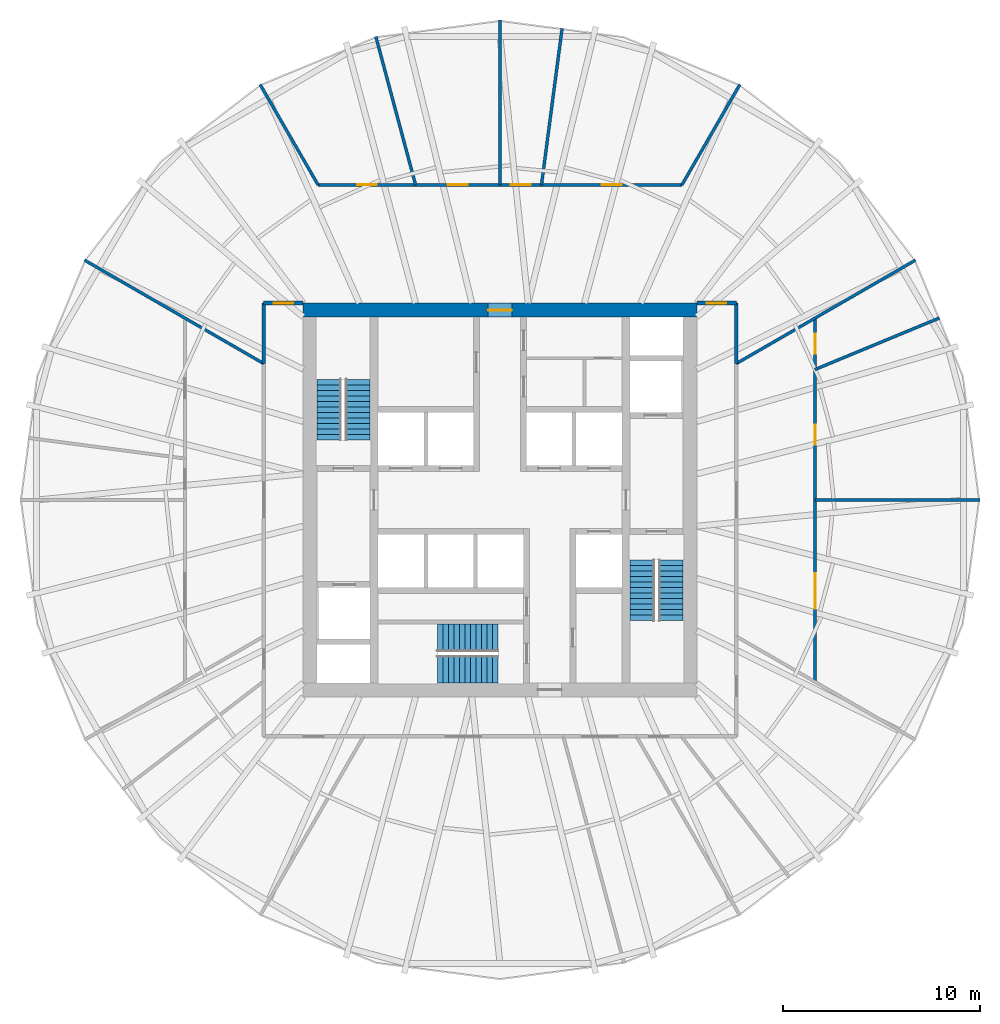
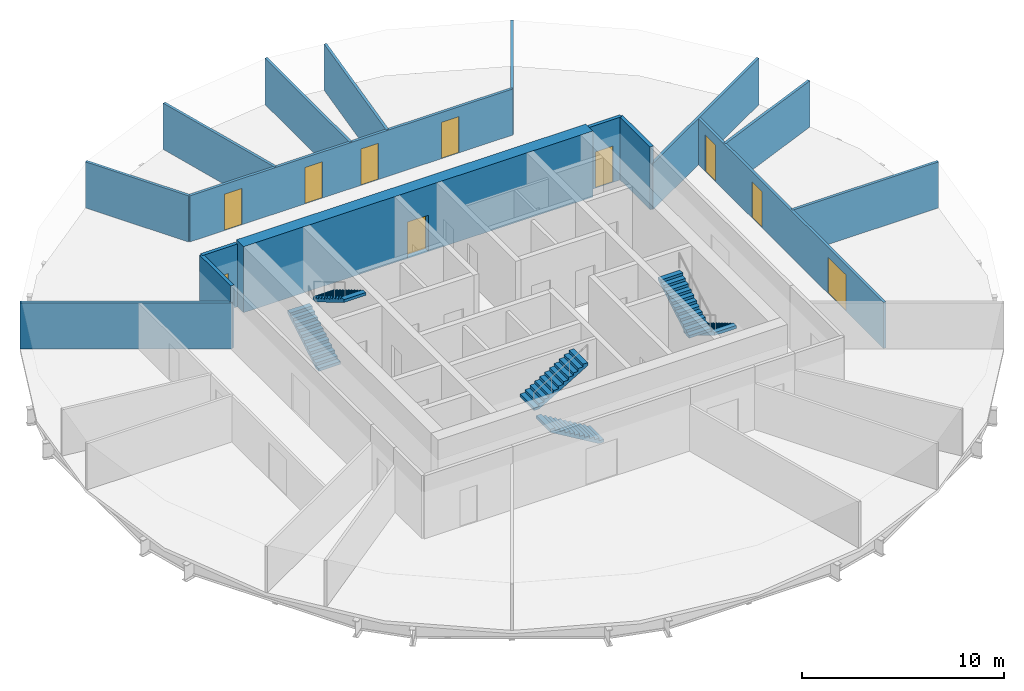
# One storey, part 5 of 6: 16 walls, 10 doors, 6 stair flights, 10 openings, 3 elements without a shape of their own.
"""IFC4 building model written with IfcOpenShell, lengths in metres."""

import ifcopenshell
import ifcopenshell.guid

model = None  # the IFC model being written
_history = None  # IfcOwnerHistory: only IFC2X3 demands one
_inside = {}  # id of a spatial element -> (the spatial element, [elements in it])
_under = {}  # id of a project, library or spatial element -> (it, [spatial elements below it])
_declared = {}  # id of a project -> (the project, [libraries it declares])
_typed = {}  # id of a type object -> (the type object, [elements of that type])
_made_of = {}  # id of a material, layer set ... -> (it, [elements and type objects made of it])


def new_model(schema):
    """Start an empty IFC model of exactly this schema.

    Asked for "IFC4X3", IfcOpenShell would pick the latest addendum, in which some entities
    have other attributes; the version numbers below select the first issue.
    IFC2X3 requires an IfcOwnerHistory on every rooted entity: one is made here for all.
    """
    global model, _history
    if schema == "IFC4X3":
        model = ifcopenshell.file(schema_version=(4, 3, 0, 0))
    else:
        model = ifcopenshell.file(schema=schema)
    _inside.clear()
    _under.clear()
    _declared.clear()
    _typed.clear()
    _made_of.clear()
    _history = None
    if model.schema == "IFC2X3":
        org = make("IfcOrganization", Name="unknown")
        user = make(
            "IfcPersonAndOrganization",
            ThePerson=make("IfcPerson", FamilyName="unknown"),
            TheOrganization=org,
        )
        app = make(
            "IfcApplication",
            ApplicationDeveloper=org,
            Version="unknown",
            ApplicationFullName="unknown",
            ApplicationIdentifier="unknown",
        )
        _history = make(
            "IfcOwnerHistory",
            OwningUser=user,
            OwningApplication=app,
            ChangeAction="ADDED",
            CreationDate=0,
        )
    return model


def make(cls, **values):
    """One entity of the class cls with the attributes given. An attribute that is None is left unset."""
    return model.create_entity(
        cls, **{name: value for name, value in values.items() if value is not None}
    )


def rooted(cls, **values):
    """An entity with a GlobalId (a new one), such as an element, a storey or a relation."""
    return make(cls, GlobalId=ifcopenshell.guid.new(), OwnerHistory=_history, **values)


def si_unit(unit_type, name, prefix=None):
    """IfcSIUnit, for example si_unit("LENGTHUNIT", "METRE", prefix="MILLI")."""
    return make("IfcSIUnit", UnitType=unit_type, Prefix=prefix, Name=name)


def assignment(units):
    """IfcUnitAssignment: the units of a project."""
    return None if units is None else make("IfcUnitAssignment", Units=units)


def point(xyz):
    """IfcCartesianPoint."""
    return None if xyz is None else make("IfcCartesianPoint", Coordinates=xyz)


def direction(xyz):
    """IfcDirection."""
    return None if xyz is None else make("IfcDirection", DirectionRatios=xyz)


def frame(location, z_axis=None, x_axis=None):
    """IfcAxis2Placement3D, a coordinate frame: its origin and axes. An axis left out is left unset."""
    return make(
        "IfcAxis2Placement3D",
        Location=point(location),
        Axis=direction(z_axis),
        RefDirection=direction(x_axis),
    )


def frame_2d(location, x_axis=None):
    """IfcAxis2Placement2D, a coordinate frame in the plane: its origin and x axis."""
    return make(
        "IfcAxis2Placement2D", Location=point(location), RefDirection=direction(x_axis)
    )


def origin():
    """The frame at (0, 0, 0) with its axes left unset."""
    return frame((0.0, 0.0, 0.0))


def place(relative_to, where):
    """IfcLocalPlacement: puts the frame where relative to a parent placement (None: the world)."""
    return make(
        "IfcLocalPlacement", PlacementRelTo=relative_to, RelativePlacement=where
    )


def context(
    kind, dimensions, precision=None, world=None, true_north=None, identifier=None
):
    """IfcGeometricRepresentationContext, for example the 3D "Model" context."""
    return make(
        "IfcGeometricRepresentationContext",
        ContextIdentifier=identifier,
        ContextType=kind,
        CoordinateSpaceDimension=dimensions,
        Precision=precision,
        WorldCoordinateSystem=world,
        TrueNorth=true_north,
    )


def subcontext(parent, identifier, kind, view, scale=None):
    """IfcGeometricRepresentationSubContext, for example "Body" below "Model"."""
    return make(
        "IfcGeometricRepresentationSubContext",
        ContextIdentifier=identifier,
        ContextType=kind,
        ParentContext=parent,
        TargetScale=scale,
        TargetView=view,
    )


def project(units=None, contexts=None):
    """IfcProject with its units and contexts."""
    return rooted(
        "IfcProject",
        Name="project",
        RepresentationContexts=contexts,
        UnitsInContext=assignment(units),
    )


def spatial(cls, under=None, at=None, **own):
    """A site, building, storey or space (cls), placed at a placement, below another one or the project."""
    s = rooted(cls, ObjectPlacement=at, **own)
    if under is not None:
        _under.setdefault(under.id(), (under, []))[1].append(s)
    return s


def polyline(points):
    """IfcPolyline through the points."""
    return make("IfcPolyline", Points=[point(p) for p in points])


def profile(cls, at=None, kind="AREA", **sizes):
    """A parametric profile (cls). Its sizes go by their IFC names, for example OverallWidth=200.0."""
    return make(cls, ProfileType=kind, Position=at, **sizes)


def rectangle(**sizes):
    """IfcRectangleProfileDef."""
    return profile("IfcRectangleProfileDef", **sizes)


def outline(outer, holes=None, kind="AREA"):
    """IfcArbitraryClosedProfileDef: a profile drawn as a closed curve; with holes, ...WithVoids."""
    if holes is None:
        return make("IfcArbitraryClosedProfileDef", ProfileType=kind, OuterCurve=outer)
    return make(
        "IfcArbitraryProfileDefWithVoids",
        ProfileType=kind,
        OuterCurve=outer,
        InnerCurves=holes,
    )


def extrude(swept, where, along, depth):
    """IfcExtrudedAreaSolid: the profile swept, set in the frame where, extruded along a direction by depth."""
    return make(
        "IfcExtrudedAreaSolid",
        SweptArea=swept,
        Position=where,
        ExtrudedDirection=direction(along),
        Depth=depth,
    )


def shape(context_of_items, identifier, shape_type, items):
    """IfcShapeRepresentation: the items that make up one representation, for example the "Body"."""
    return make(
        "IfcShapeRepresentation",
        ContextOfItems=context_of_items,
        RepresentationIdentifier=identifier,
        RepresentationType=shape_type,
        Items=items,
    )


def material(Name=None, Category=None):
    """IfcMaterial."""
    return make("IfcMaterial", Name=Name, Category=Category)


def layer(
    of_material, thickness, ventilated=None, Name=None, Category=None, Priority=None
):
    """IfcMaterialLayer: one layer of a wall or slab, of a material (None: an air gap)."""
    return make(
        "IfcMaterialLayer",
        Material=of_material,
        LayerThickness=thickness,
        IsVentilated=ventilated,
        Name=Name,
        Category=Category,
        Priority=Priority,
    )


def layer_set(layers, Name=None):
    """IfcMaterialLayerSet."""
    return make("IfcMaterialLayerSet", MaterialLayers=layers, LayerSetName=Name)


def made_of(thing, what):
    """Note that an element or type object is made of a material, layer set ...; save() writes the relation."""
    if what is not None:
        _made_of.setdefault(what.id(), (what, []))[1].append(thing)
    return thing


def type_object(cls, material=None, **own):
    """A type object (cls), such as IfcWallType, which elements share."""
    return made_of(rooted(cls, **own), material)


def element(
    cls,
    number,
    at=None,
    inside=None,
    cuts=None,
    type_object=None,
    material=None,
    context=None,
    identifier="Body",
    shape_type=None,
    held_by="IfcProductDefinitionShape",
    body=None,
    shapes=None,
    **own,
):
    """One element of the class cls, such as IfcWall. Its Tag is "e" and its number.

    at: its placement. inside: the storey or other place that contains it. cuts: it is an
    opening in that element (IfcRelVoidsElement). A single representation is given by context,
    identifier, shape_type and body (its items); several are given by shapes. held_by: the class
    of the entity that holds the representations. save() writes the other relations.
    """
    e = rooted(cls, Tag="e%d" % number, ObjectPlacement=at, **own)
    if body is not None:
        shapes = [shape(context, identifier, shape_type, body)]
    if shapes is not None:
        e.Representation = make(held_by, Representations=shapes)
    if inside is not None:
        _inside.setdefault(inside.id(), (inside, []))[1].append(e)
    if cuts is not None:
        rooted(
            "IfcRelVoidsElement", RelatingBuildingElement=cuts, RelatedOpeningElement=e
        )
    if type_object is not None:
        _typed.setdefault(type_object.id(), (type_object, []))[1].append(e)
    return made_of(e, material)


def fill(opening, filler):
    """IfcRelFillsElement: the door or window that sits in an opening."""
    return rooted(
        "IfcRelFillsElement",
        RelatingOpeningElement=opening,
        RelatedBuildingElement=filler,
    )


def aggregate(whole, parts):
    """IfcRelAggregates: a whole, such as a stair, and the parts it consists of."""
    return rooted("IfcRelAggregates", RelatingObject=whole, RelatedObjects=parts)


def save(model, path):
    """Write the relations noted so far, then the file.

    IfcRelAggregates (storeys below a building ...), IfcRelContainedInSpatialStructure (elements
    in a storey), IfcRelDefinesByType, IfcRelAssociatesMaterial and IfcRelDeclares: one each for
    every whole, place, type object, material and project.
    """
    for whole, parts in _under.values():
        aggregate(whole, parts)
    for where, things in _inside.values():
        rooted(
            "IfcRelContainedInSpatialStructure",
            RelatedElements=things,
            RelatingStructure=where,
        )
    for kind, things in _typed.values():
        rooted("IfcRelDefinesByType", RelatedObjects=things, RelatingType=kind)
    for what, things in _made_of.values():
        rooted("IfcRelAssociatesMaterial", RelatedObjects=things, RelatingMaterial=what)
    for by, libraries in _declared.values():
        rooted("IfcRelDeclares", RelatingContext=by, RelatedDefinitions=libraries)
    model.write(path)


model = new_model("IFC4")

# Units and contexts
model_context = context("Model", 3, precision=1e-05, world=origin(), true_north=direction((0.0, 1.0)))
body_context = subcontext(model_context, "Body", "Model", "MODEL_VIEW")
ifc_project = project(units=[si_unit("LENGTHUNIT", "METRE"), si_unit("AREAUNIT", "SQUARE_METRE"), si_unit("VOLUMEUNIT", "CUBIC_METRE"), si_unit("PLANEANGLEUNIT", "RADIAN"), si_unit("MASSUNIT", "GRAM", prefix="KILO")], contexts=[model_context])

# Site, building, storey
site_placement = place(None, origin())
site = spatial("IfcSite", under=ifc_project, at=site_placement, CompositionType="ELEMENT")
building_placement = place(site_placement, origin())
building = spatial("IfcBuilding", under=site, at=building_placement, Name="Golbaran Civic Tower", CompositionType="ELEMENT")
storey_placement = place(building_placement, frame((0.0, 0.0, 98.0)))
storey = spatial("IfcBuildingStorey", under=building, at=storey_placement, Name="L23", CompositionType="ELEMENT", Elevation=98.0)

# Wall, opening, door
ifc_material_1 = material(Name="Concrete C50/60", Category="concrete")
ifc_layer_1 = layer(ifc_material_1, 0.699951171875, Name="Concrete C50/60")
ifc_layer_set_1 = layer_set([ifc_layer_1], Name="Concrete C50/60")
wall_type_1 = type_object("IfcWallType", Name="CORE WALL CONCRETE 700", PredefinedType="SOLIDWALL", material=ifc_layer_set_1)
wall_1_placement = place(storey_placement, frame((-10.0, 9.64990234375, 0.0), z_axis=(0.0, 0.0, 1.0), x_axis=(1.0, 0.0, 0.0)))
wall_1 = element("IfcWall", 1, at=wall_1_placement, inside=storey, type_object=wall_type_1, Name="Core wall CN L23", PredefinedType="SOLIDWALL", context=body_context, shape_type="SweptSolid", body=[
    extrude(rectangle(XDim=20.0, YDim=0.699951171875, at=frame_2d((10.0, 0.0))), origin(), (0.0, 0.0, 1.0), 4.0),
])
opening_1_placement = place(wall_1_placement, frame((9.39990234375, 0.0, 0.0)))
opening_1 = element("IfcOpeningElement", 2, at=opening_1_placement, cuts=wall_1, Name="Opening L23.CN", PredefinedType="OPENING", context=body_context, shape_type="SweptSolid", body=[
    extrude(rectangle(XDim=1.199951171875, YDim=2.199951171875, at=frame_2d((0.60009765625, 1.10009765625))), frame((0.0, 0.35986328125, 0.0), z_axis=(0.0, -1.0, 0.0), x_axis=(1.0, 0.0, 0.0)), (0.0, 0.0, 1.0), 0.719970703125),
])
ifc_material_2 = material(Name="Timber door set in steel frame", Category="steel")
door_type_1 = type_object("IfcDoorType", Name="CORE DOOR 1200x2200", OperationType="DOUBLE_DOOR_SINGLE_SWING", PredefinedType="DOOR", material=ifc_material_2)
door_1_placement = place(opening_1_placement, origin())
door_1 = element("IfcDoor", 3, at=door_1_placement, inside=storey, type_object=door_type_1, Name="Core door north", OperationType="DOUBLE_DOOR_SINGLE_SWING", OverallHeight=2.199951171875, OverallWidth=1.199951171875, PredefinedType="DOOR", context=body_context, shape_type="SweptSolid", body=[
    extrude(rectangle(XDim=1.199951171875, YDim=2.199951171875, at=frame_2d((0.60009765625, 1.10009765625))), frame((0.0, 0.02490234375, 0.0), z_axis=(0.0, -1.0, 0.0), x_axis=(1.0, 0.0, 0.0)), (0.0, 0.0, 1.0), 0.050048828125),
])
fill(opening_1, door_1)

# Walls
ifc_material_3 = material(Name="Gypsum board on steel studs, fire-rated", Category="steel")
ifc_layer_2 = layer(ifc_material_3, 0.199951171875, Name="Gypsum board on steel studs, fire-rated")
ifc_layer_set_2 = layer_set([ifc_layer_2], Name="Gypsum board on steel studs, fire-rated")
wall_type_2 = type_object("IfcWallType", Name="CORRIDOR WALL 200", PredefinedType="PARTITIONING", material=ifc_layer_set_2)
for number, where, z_axis, x_axis, name in (
    (4, (12.0, 6.92822265625, 0.0), (0.0, 0.0, 1.0), (0.0, 1.0, 0.0), "Corridor wall L23"),
    (5, (-12.0, 10.0, 0.0), (0.0, 0.0, 1.0), (0.0, -1.0, 0.0), "Corridor wall L23"),
):
    element("IfcWall", number, at=place(storey_placement, frame(where, z_axis=z_axis, x_axis=x_axis)), inside=storey, type_object=wall_type_2, Name=name, PredefinedType="PARTITIONING", context=body_context, shape_type="SweptSolid", body=[
        extrude(rectangle(XDim=3.07177734375, YDim=0.199951171875, at=frame_2d((1.535888671875, 0.0))), origin(), (0.0, 0.0, 1.0), 3.800048828125),
    ])

# Wall, opening, door
wall_2_placement = place(storey_placement, frame((-10.0, 10.0, 0.0), z_axis=(0.0, 0.0, 1.0), x_axis=(-1.0, 0.0, 0.0)))
wall_2 = element("IfcWall", 6, at=wall_2_placement, inside=storey, type_object=wall_type_2, Name="Corridor end wall L23", PredefinedType="PARTITIONING", context=body_context, shape_type="SweptSolid", body=[
    extrude(rectangle(XDim=2.0, YDim=0.199951171875, at=frame_2d((1.0, 0.0))), origin(), (0.0, 0.0, 1.0), 3.800048828125),
])
opening_2_placement = place(wall_2_placement, frame((0.5, 0.0, 0.0)))
opening_2 = element("IfcOpeningElement", 7, at=opening_2_placement, cuts=wall_2, Name="Opening L23.19", PredefinedType="OPENING", context=body_context, shape_type="SweptSolid", body=[
    extrude(rectangle(XDim=1.0, YDim=2.199951171875, at=frame_2d((0.5, 1.10009765625))), frame((0.0, 0.10986328125, 0.0), z_axis=(0.0, -1.0, 0.0), x_axis=(1.0, 0.0, 0.0)), (0.0, 0.0, 1.0), 0.219970703125),
])
door_type_2 = type_object("IfcDoorType", Name="OFFICE DOOR 1000x2200", OperationType="SINGLE_SWING_LEFT", PredefinedType="DOOR", material=ifc_material_2)
door_2_placement = place(opening_2_placement, origin())
door_2 = element("IfcDoor", 8, at=door_2_placement, inside=storey, type_object=door_type_2, Name="Open Office door L23", OperationType="SINGLE_SWING_RIGHT", OverallHeight=2.199951171875, OverallWidth=1.0, PredefinedType="DOOR", context=body_context, shape_type="SweptSolid", body=[
    extrude(rectangle(XDim=1.0, YDim=2.199951171875, at=frame_2d((0.5, 1.10009765625))), frame((0.0, 0.02490234375, 0.0), z_axis=(0.0, -1.0, 0.0), x_axis=(1.0, 0.0, 0.0)), (0.0, 0.0, 1.0), 0.050048828125),
])
fill(opening_2, door_2)

wall_3_placement = place(storey_placement, frame((10.0, 10.0, 0.0), z_axis=(0.0, 0.0, 1.0), x_axis=(1.0, 0.0, 0.0)))
wall_3 = element("IfcWall", 9, at=wall_3_placement, inside=storey, type_object=wall_type_2, Name="Corridor end wall L23", PredefinedType="PARTITIONING", context=body_context, shape_type="SweptSolid", body=[
    extrude(rectangle(XDim=2.0, YDim=0.199951171875, at=frame_2d((1.0, 0.0))), origin(), (0.0, 0.0, 1.0), 3.800048828125),
])
opening_3_placement = place(wall_3_placement, frame((0.5, 0.0, 0.0)))
opening_3 = element("IfcOpeningElement", 10, at=opening_3_placement, cuts=wall_3, Name="Opening L23.20", PredefinedType="OPENING", context=body_context, shape_type="SweptSolid", body=[
    extrude(rectangle(XDim=1.0, YDim=2.199951171875, at=frame_2d((0.5, 1.10009765625))), frame((0.0, 0.10986328125, 0.0), z_axis=(0.0, -1.0, 0.0), x_axis=(1.0, 0.0, 0.0)), (0.0, 0.0, 1.0), 0.219970703125),
])
door_3_placement = place(opening_3_placement, origin())
door_3 = element("IfcDoor", 11, at=door_3_placement, inside=storey, type_object=door_type_2, Name="Open Office door L23", OperationType="SINGLE_SWING_LEFT", OverallHeight=2.199951171875, OverallWidth=1.0, PredefinedType="DOOR", context=body_context, shape_type="SweptSolid", body=[
    extrude(rectangle(XDim=1.0, YDim=2.199951171875, at=frame_2d((0.5, 1.10009765625))), frame((0.0, 0.02490234375, 0.0), z_axis=(0.0, -1.0, 0.0), x_axis=(1.0, 0.0, 0.0)), (0.0, 0.0, 1.0), 0.050048828125),
])
fill(opening_3, door_3)

# Walls
ifc_material_4 = material(Name="Gypsum board on steel studs", Category="steel")
ifc_layer_3 = layer(ifc_material_4, 0.14990234375, Name="Gypsum board on steel studs")
ifc_layer_set_3 = layer_set([ifc_layer_3], Name="Gypsum board on steel studs")
wall_type_3 = type_object("IfcWallType", Name="OFFICE PARTITION 150", PredefinedType="PARTITIONING", material=ifc_layer_set_3)
for number, where, z_axis, x_axis, name in (
    (12, (12.0, 6.92822265625, 0.0), (0.0, 0.0, 1.0), (0.866028201971, 0.499995153367, 0.0), "Partition 30 L23"),
    (13, (-12.0, 6.92822265625, 0.0), (0.0, 0.0, 1.0), (-0.866028201971, 0.499995153367, 0.0), "Partition 150 L23"),
):
    element("IfcWall", number, at=place(storey_placement, frame(where, z_axis=z_axis, x_axis=x_axis)), inside=storey, type_object=wall_type_3, Name=name, PredefinedType="PARTITIONING", context=body_context, shape_type="SweptSolid", body=[
        extrude(rectangle(XDim=10.513671875, YDim=0.14990234375, at=frame_2d((5.2568359375, 0.0))), origin(), (0.0, 0.0, 1.0), 2.7900390625),
    ])

# Wall, openings, doors
wall_4_placement = place(storey_placement, frame((16.0, -9.237548828125, 0.0), z_axis=(0.0, 0.0, 1.0), x_axis=(0.0, 1.0, 0.0)))
wall_4 = element("IfcWall", 14, at=wall_4_placement, inside=storey, type_object=wall_type_3, Name="Suite partition L23", PredefinedType="PARTITIONING", context=body_context, shape_type="SweptSolid", body=[
    extrude(rectangle(XDim=18.47509765625, YDim=0.14990234375, at=frame_2d((9.237548828125, 0.0))), origin(), (0.0, 0.0, 1.0), 2.7900390625),
])
opening_4_placement = place(wall_4_placement, frame((3.71875, 0.0, 0.0)))
opening_4 = element("IfcOpeningElement", 15, at=opening_4_placement, cuts=wall_4, Name="Opening L23.01", PredefinedType="OPENING", context=body_context, shape_type="SweptSolid", body=[
    extrude(rectangle(XDim=1.800048828125, YDim=2.199951171875, at=frame_2d((0.89990234375, 1.10009765625))), frame((0.0, 0.0849609375, 0.0), z_axis=(0.0, -1.0, 0.0), x_axis=(1.0, 0.0, 0.0)), (0.0, 0.0, 1.0), 0.169921875),
])
opening_5_placement = place(wall_4_placement, frame((12.05126953125, 0.0, 0.0)))
opening_5 = element("IfcOpeningElement", 16, at=opening_5_placement, cuts=wall_4, Name="Opening L23.02", PredefinedType="OPENING", context=body_context, shape_type="SweptSolid", body=[
    extrude(rectangle(XDim=1.0, YDim=2.199951171875, at=frame_2d((0.5, 1.10009765625))), frame((0.0, 0.0849609375, 0.0), z_axis=(0.0, -1.0, 0.0), x_axis=(1.0, 0.0, 0.0)), (0.0, 0.0, 1.0), 0.169921875),
])
opening_6_placement = place(wall_4_placement, frame((16.670166015625, 0.0, 0.0)))
opening_6 = element("IfcOpeningElement", 17, at=opening_6_placement, cuts=wall_4, Name="Opening L23.03", PredefinedType="OPENING", context=body_context, shape_type="SweptSolid", body=[
    extrude(rectangle(XDim=1.0, YDim=2.199951171875, at=frame_2d((0.5, 1.10009765625))), frame((0.0, 0.0849609375, 0.0), z_axis=(0.0, -1.0, 0.0), x_axis=(1.0, 0.0, 0.0)), (0.0, 0.0, 1.0), 0.169921875),
])
door_4_placement = place(opening_5_placement, origin())
door_4 = element("IfcDoor", 18, at=door_4_placement, inside=storey, type_object=door_type_2, Name="Office door L23", OperationType="SINGLE_SWING_RIGHT", OverallHeight=2.199951171875, OverallWidth=1.0, PredefinedType="DOOR", context=body_context, shape_type="SweptSolid", body=[
    extrude(rectangle(XDim=1.0, YDim=2.199951171875, at=frame_2d((0.5, 1.10009765625))), frame((0.0, 0.02490234375, 0.0), z_axis=(0.0, -1.0, 0.0), x_axis=(1.0, 0.0, 0.0)), (0.0, 0.0, 1.0), 0.050048828125),
])
fill(opening_5, door_4)
door_5_placement = place(opening_6_placement, origin())
door_5 = element("IfcDoor", 19, at=door_5_placement, inside=storey, type_object=door_type_2, Name="Office door L23", OperationType="SINGLE_SWING_RIGHT", OverallHeight=2.199951171875, OverallWidth=1.0, PredefinedType="DOOR", context=body_context, shape_type="SweptSolid", body=[
    extrude(rectangle(XDim=1.0, YDim=2.199951171875, at=frame_2d((0.5, 1.10009765625))), frame((0.0, 0.02490234375, 0.0), z_axis=(0.0, -1.0, 0.0), x_axis=(1.0, 0.0, 0.0)), (0.0, 0.0, 1.0), 0.050048828125),
])
fill(opening_6, door_5)
door_type_3 = type_object("IfcDoorType", Name="OFFICE DOUBLE DOOR 1800x2200", OperationType="DOUBLE_DOOR_SINGLE_SWING", PredefinedType="DOOR", material=ifc_material_2)
door_6_placement = place(opening_4_placement, origin())
door_6 = element("IfcDoor", 20, at=door_6_placement, inside=storey, type_object=door_type_3, Name="Office door L23", OperationType="DOUBLE_DOOR_SINGLE_SWING", OverallHeight=2.199951171875, OverallWidth=1.800048828125, PredefinedType="DOOR", context=body_context, shape_type="SweptSolid", body=[
    extrude(rectangle(XDim=1.800048828125, YDim=2.199951171875, at=frame_2d((0.89990234375, 1.10009765625))), frame((0.0, 0.02490234375, 0.0), z_axis=(0.0, -1.0, 0.0), x_axis=(1.0, 0.0, 0.0)), (0.0, 0.0, 1.0), 0.050048828125),
])
fill(opening_4, door_6)

# Walls
wall_5_placement = place(storey_placement, frame((16.0, 0.0, 0.0), z_axis=(0.0, 0.0, 1.0), x_axis=(1.0, 0.0, 0.0)))
element("IfcWall", 21, at=wall_5_placement, inside=storey, type_object=wall_type_3, Name="Partition 0 L23", PredefinedType="PARTITIONING", context=body_context, shape_type="SweptSolid", body=[
    extrude(rectangle(XDim=8.3701171875, YDim=0.14990234375, at=frame_2d((4.18505859375, 0.0))), origin(), (0.0, 0.0, 1.0), 2.7900390625),
])
wall_6_placement = place(storey_placement, frame((16.0, 6.62744140625, 0.0), z_axis=(0.0, 0.0, 1.0), x_axis=(0.923878127723, 0.382686823805, 0.0)))
element("IfcWall", 22, at=wall_6_placement, inside=storey, type_object=wall_type_3, Name="Partition 22.5 L23", PredefinedType="PARTITIONING", context=body_context, shape_type="SweptSolid", body=[
    extrude(rectangle(XDim=6.843505859375, YDim=0.14990234375, at=frame_2d((3.421875, 0.0))), origin(), (0.0, 0.0, 1.0), 2.7900390625),
])

# Wall, openings, doors
wall_7_placement = place(storey_placement, frame((9.237548828125, 16.0, 0.0), z_axis=(0.0, 0.0, 1.0), x_axis=(-1.0, 0.0, 0.0)))
wall_7 = element("IfcWall", 23, at=wall_7_placement, inside=storey, type_object=wall_type_3, Name="Suite partition L23", PredefinedType="PARTITIONING", context=body_context, shape_type="SweptSolid", body=[
    extrude(rectangle(XDim=18.47509765625, YDim=0.14990234375, at=frame_2d((9.237548828125, 0.0))), origin(), (0.0, 0.0, 1.0), 2.7900390625),
])
opening_7_placement = place(wall_7_placement, frame((3.065673828125, 0.0, 0.0)))
opening_7 = element("IfcOpeningElement", 24, at=opening_7_placement, cuts=wall_7, Name="Opening L23.04", PredefinedType="OPENING", context=body_context, shape_type="SweptSolid", body=[
    extrude(rectangle(XDim=1.0, YDim=2.199951171875, at=frame_2d((0.5, 1.10009765625))), frame((0.0, 0.0849609375, 0.0), z_axis=(0.0, -1.0, 0.0), x_axis=(1.0, 0.0, 0.0)), (0.0, 0.0, 1.0), 0.169921875),
])
opening_8_placement = place(wall_7_placement, frame((7.684326171875, 0.0, 0.0)))
opening_8 = element("IfcOpeningElement", 25, at=opening_8_placement, cuts=wall_7, Name="Opening L23.05", PredefinedType="OPENING", context=body_context, shape_type="SweptSolid", body=[
    extrude(rectangle(XDim=1.0, YDim=2.199951171875, at=frame_2d((0.5, 1.10009765625))), frame((0.0, 0.0849609375, 0.0), z_axis=(0.0, -1.0, 0.0), x_axis=(1.0, 0.0, 0.0)), (0.0, 0.0, 1.0), 0.169921875),
])
opening_9_placement = place(wall_7_placement, frame((10.881103515625, 0.0, 0.0)))
opening_9 = element("IfcOpeningElement", 26, at=opening_9_placement, cuts=wall_7, Name="Opening L23.06", PredefinedType="OPENING", context=body_context, shape_type="SweptSolid", body=[
    extrude(rectangle(XDim=1.0, YDim=2.199951171875, at=frame_2d((0.5, 1.10009765625))), frame((0.0, 0.0849609375, 0.0), z_axis=(0.0, -1.0, 0.0), x_axis=(1.0, 0.0, 0.0)), (0.0, 0.0, 1.0), 0.169921875),
])
opening_10_placement = place(wall_7_placement, frame((15.5, 0.0, 0.0)))
opening_10 = element("IfcOpeningElement", 27, at=opening_10_placement, cuts=wall_7, Name="Opening L23.07", PredefinedType="OPENING", context=body_context, shape_type="SweptSolid", body=[
    extrude(rectangle(XDim=1.0, YDim=2.199951171875, at=frame_2d((0.5, 1.10009765625))), frame((0.0, 0.0849609375, 0.0), z_axis=(0.0, -1.0, 0.0), x_axis=(1.0, 0.0, 0.0)), (0.0, 0.0, 1.0), 0.169921875),
])
door_7_placement = place(opening_7_placement, origin())
door_7 = element("IfcDoor", 28, at=door_7_placement, inside=storey, type_object=door_type_2, Name="Director's Office door L23", OperationType="SINGLE_SWING_LEFT", OverallHeight=2.199951171875, OverallWidth=1.0, PredefinedType="DOOR", context=body_context, shape_type="SweptSolid", body=[
    extrude(rectangle(XDim=1.0, YDim=2.199951171875, at=frame_2d((0.5, 1.10009765625))), frame((0.0, 0.02490234375, 0.0), z_axis=(0.0, -1.0, 0.0), x_axis=(1.0, 0.0, 0.0)), (0.0, 0.0, 1.0), 0.050048828125),
])
fill(opening_7, door_7)
door_8_placement = place(opening_8_placement, origin())
door_8 = element("IfcDoor", 29, at=door_8_placement, inside=storey, type_object=door_type_2, Name="Office door L23", OperationType="SINGLE_SWING_LEFT", OverallHeight=2.199951171875, OverallWidth=1.0, PredefinedType="DOOR", context=body_context, shape_type="SweptSolid", body=[
    extrude(rectangle(XDim=1.0, YDim=2.199951171875, at=frame_2d((0.5, 1.10009765625))), frame((0.0, 0.02490234375, 0.0), z_axis=(0.0, -1.0, 0.0), x_axis=(1.0, 0.0, 0.0)), (0.0, 0.0, 1.0), 0.050048828125),
])
fill(opening_8, door_8)
door_9_placement = place(opening_9_placement, origin())
door_9 = element("IfcDoor", 30, at=door_9_placement, inside=storey, type_object=door_type_2, Name="Office door L23", OperationType="SINGLE_SWING_RIGHT", OverallHeight=2.199951171875, OverallWidth=1.0, PredefinedType="DOOR", context=body_context, shape_type="SweptSolid", body=[
    extrude(rectangle(XDim=1.0, YDim=2.199951171875, at=frame_2d((0.5, 1.10009765625))), frame((0.0, 0.02490234375, 0.0), z_axis=(0.0, -1.0, 0.0), x_axis=(1.0, 0.0, 0.0)), (0.0, 0.0, 1.0), 0.050048828125),
])
fill(opening_9, door_9)
door_10_placement = place(opening_10_placement, origin())
door_10 = element("IfcDoor", 31, at=door_10_placement, inside=storey, type_object=door_type_2, Name="Office door L23", OperationType="SINGLE_SWING_RIGHT", OverallHeight=2.199951171875, OverallWidth=1.0, PredefinedType="DOOR", context=body_context, shape_type="SweptSolid", body=[
    extrude(rectangle(XDim=1.0, YDim=2.199951171875, at=frame_2d((0.5, 1.10009765625))), frame((0.0, 0.02490234375, 0.0), z_axis=(0.0, -1.0, 0.0), x_axis=(1.0, 0.0, 0.0)), (0.0, 0.0, 1.0), 0.050048828125),
])
fill(opening_10, door_10)

# Walls
for number, where, z_axis, x_axis, name in (
    (32, (9.237548828125, 16.0, 0.0), (0.0, 0.0, 1.0), (0.500000885893, 0.866024892313, 0.0), "Suite side partition L23"),
    (33, (-9.237548828125, 16.0, 0.0), (0.0, 0.0, 1.0), (-0.500000885893, 0.866024892313, 0.0), "Suite side partition L23"),
):
    element("IfcWall", number, at=place(storey_placement, frame(where, z_axis=z_axis, x_axis=x_axis)), inside=storey, type_object=wall_type_3, Name=name, PredefinedType="PARTITIONING", context=body_context, shape_type="SweptSolid", body=[
        extrude(rectangle(XDim=5.89501953125, YDim=0.14990234375, at=frame_2d((2.947509765625, 0.0))), origin(), (0.0, 0.0, 1.0), 2.7900390625),
    ])
wall_8_placement = place(storey_placement, frame((2.1064453125, 16.0, 0.0), z_axis=(0.0, 0.0, 1.0), x_axis=(0.130533221372, 0.991443935943, 0.0)))
element("IfcWall", 34, at=wall_8_placement, inside=storey, type_object=wall_type_3, Name="Partition 82.5 L23", PredefinedType="PARTITIONING", context=body_context, shape_type="SweptSolid", body=[
    extrude(rectangle(XDim=8.023681640625, YDim=0.14990234375, at=frame_2d((4.01171875, 0.0))), origin(), (0.0, 0.0, 1.0), 2.7900390625),
])
wall_9_placement = place(storey_placement, frame((0.0, 16.0, 0.0), z_axis=(0.0, 0.0, 1.0), x_axis=(0.0, 1.0, 0.0)))
element("IfcWall", 35, at=wall_9_placement, inside=storey, type_object=wall_type_3, Name="Partition 90 L23", PredefinedType="PARTITIONING", context=body_context, shape_type="SweptSolid", body=[
    extrude(rectangle(XDim=8.3701171875, YDim=0.14990234375, at=frame_2d((4.18505859375, 0.0))), origin(), (0.0, 0.0, 1.0), 2.7900390625),
])
wall_10_placement = place(storey_placement, frame((-4.287109375, 16.0, 0.0), z_axis=(0.0, 0.0, 1.0), x_axis=(-0.258816859097, 0.965926412025, 0.0)))
element("IfcWall", 36, at=wall_10_placement, inside=storey, type_object=wall_type_3, Name="Partition 105 L23", PredefinedType="PARTITIONING", context=body_context, shape_type="SweptSolid", body=[
    extrude(rectangle(XDim=7.8056640625, YDim=0.14990234375, at=frame_2d((3.90283203125, 0.0))), origin(), (0.0, 0.0, 1.0), 2.7900390625),
])

# Stair, stair flights
ifc_material_5 = material(Name="Concrete C35/45", Category="concrete")
stair_type_1 = type_object("IfcStairType", Name="EXIT STAIR 2700 x 7550, 4000 RISE", PredefinedType="HALF_TURN_STAIR", material=ifc_material_5)
stair_1_placement = place(storey_placement, origin())
stair_1 = element("IfcStair", 37, at=stair_1_placement, inside=storey, type_object=stair_type_1, Name="Stair S1 L23", PredefinedType="HALF_TURN_STAIR")
stair_flight_type_1 = type_object("IfcStairFlightType", Name="STAIR FLIGHT 1250 WIDE", PredefinedType="STRAIGHT", material=ifc_material_5)
stair_flight_1_placement = place(storey_placement, frame((-8.675048828125, 3.050048828125, 0.0), z_axis=(0.0, 0.0, 1.0), x_axis=(0.0, 1.0, 0.0)))
stair_flight_1 = element("IfcStairFlight", 38, at=stair_flight_1_placement, type_object=stair_flight_type_1, Name="ST27076-40 flight 1", NumberOfRisers=12, NumberOfTreads=11, PredefinedType="STRAIGHT", RiserHeight=0.166666667, TreadLength=0.28, context=body_context, shape_type="SweptSolid", body=[
    extrude(outline(polyline([(0.0, 0.0), (0.0, 0.166748046875), (0.280029296875, 0.166748046875), (0.280029296875, 0.333251953125), (0.56005859375, 0.333251953125), (0.56005859375, 0.5), (0.840087890625, 0.5), (0.840087890625, 0.666748046875), (1.1201171875, 0.666748046875), (1.1201171875, 0.833251953125), (1.39990234375, 0.833251953125), (1.39990234375, 1.0), (1.679931640625, 1.0), (1.679931640625, 1.166748046875), (1.9599609375, 1.166748046875), (1.9599609375, 1.333251953125), (2.239990234375, 1.333251953125), (2.239990234375, 1.5), (2.52001953125, 1.5), (2.52001953125, 1.666748046875), (2.800048828125, 1.666748046875), (2.800048828125, 1.833251953125), (3.080078125, 1.833251953125), (3.080078125, 2.0), (3.080078125, 1.658935546875), (0.29296875, 0.0), (0.0, 0.0)])), frame((0.0, 0.625, 0.0), z_axis=(0.0, -1.0, 0.0), x_axis=(1.0, 0.0, 0.0)), (0.0, 0.0, 1.0), 1.25),
])
stair_flight_2_placement = place(storey_placement, frame((-7.22509765625, 6.1298828125, 2.0), z_axis=(0.0, 0.0, 1.0), x_axis=(0.0, -1.0, 0.0)))
stair_flight_2 = element("IfcStairFlight", 39, at=stair_flight_2_placement, type_object=stair_flight_type_1, Name="ST27076-40 flight 2", NumberOfRisers=12, NumberOfTreads=11, PredefinedType="STRAIGHT", RiserHeight=0.166666667, TreadLength=0.28, context=body_context, shape_type="SweptSolid", body=[
    extrude(outline(polyline([(0.0, 0.0), (0.0, 0.166748046875), (0.280029296875, 0.166748046875), (0.280029296875, 0.333251953125), (0.56005859375, 0.333251953125), (0.56005859375, 0.5), (0.840087890625, 0.5), (0.840087890625, 0.666748046875), (1.1201171875, 0.666748046875), (1.1201171875, 0.833251953125), (1.39990234375, 0.833251953125), (1.39990234375, 1.0), (1.679931640625, 1.0), (1.679931640625, 1.166748046875), (1.9599609375, 1.166748046875), (1.9599609375, 1.333251953125), (2.239990234375, 1.333251953125), (2.239990234375, 1.5), (2.52001953125, 1.5), (2.52001953125, 1.666748046875), (2.800048828125, 1.666748046875), (2.800048828125, 1.833251953125), (3.080078125, 1.833251953125), (3.080078125, 2.0), (3.080078125, 1.658935546875), (0.29296875, 0.0), (0.0, 0.0)])), frame((0.0, 0.625, 0.0), z_axis=(0.0, -1.0, 0.0), x_axis=(1.0, 0.0, 0.0)), (0.0, 0.0, 1.0), 1.25),
])
aggregate(stair_1, [stair_flight_1, stair_flight_2])

stair_2_placement = place(storey_placement, origin())
stair_2 = element("IfcStair", 40, at=stair_2_placement, inside=storey, type_object=stair_type_1, Name="Stair S2 L23", PredefinedType="HALF_TURN_STAIR")
stair_flight_3_placement = place(storey_placement, frame((8.675048828125, -3.050048828125, 0.0), z_axis=(0.0, 0.0, 1.0), x_axis=(0.0, -1.0, 0.0)))
stair_flight_3 = element("IfcStairFlight", 41, at=stair_flight_3_placement, type_object=stair_flight_type_1, Name="ST27076-40 flight 1", NumberOfRisers=12, NumberOfTreads=11, PredefinedType="STRAIGHT", RiserHeight=0.166666667, TreadLength=0.28, context=body_context, shape_type="SweptSolid", body=[
    extrude(outline(polyline([(0.0, 0.0), (0.0, 0.166748046875), (0.280029296875, 0.166748046875), (0.280029296875, 0.333251953125), (0.56005859375, 0.333251953125), (0.56005859375, 0.5), (0.840087890625, 0.5), (0.840087890625, 0.666748046875), (1.1201171875, 0.666748046875), (1.1201171875, 0.833251953125), (1.39990234375, 0.833251953125), (1.39990234375, 1.0), (1.679931640625, 1.0), (1.679931640625, 1.166748046875), (1.9599609375, 1.166748046875), (1.9599609375, 1.333251953125), (2.239990234375, 1.333251953125), (2.239990234375, 1.5), (2.52001953125, 1.5), (2.52001953125, 1.666748046875), (2.800048828125, 1.666748046875), (2.800048828125, 1.833251953125), (3.080078125, 1.833251953125), (3.080078125, 2.0), (3.080078125, 1.658935546875), (0.29296875, 0.0), (0.0, 0.0)])), frame((0.0, 0.625, 0.0), z_axis=(0.0, -1.0, 0.0), x_axis=(1.0, 0.0, 0.0)), (0.0, 0.0, 1.0), 1.25),
])
stair_flight_4_placement = place(storey_placement, frame((7.22509765625, -6.1298828125, 2.0), z_axis=(0.0, 0.0, 1.0), x_axis=(0.0, 1.0, 0.0)))
stair_flight_4 = element("IfcStairFlight", 42, at=stair_flight_4_placement, type_object=stair_flight_type_1, Name="ST27076-40 flight 2", NumberOfRisers=12, NumberOfTreads=11, PredefinedType="STRAIGHT", RiserHeight=0.166666667, TreadLength=0.28, context=body_context, shape_type="SweptSolid", body=[
    extrude(outline(polyline([(0.0, 0.0), (0.0, 0.166748046875), (0.280029296875, 0.166748046875), (0.280029296875, 0.333251953125), (0.56005859375, 0.333251953125), (0.56005859375, 0.5), (0.840087890625, 0.5), (0.840087890625, 0.666748046875), (1.1201171875, 0.666748046875), (1.1201171875, 0.833251953125), (1.39990234375, 0.833251953125), (1.39990234375, 1.0), (1.679931640625, 1.0), (1.679931640625, 1.166748046875), (1.9599609375, 1.166748046875), (1.9599609375, 1.333251953125), (2.239990234375, 1.333251953125), (2.239990234375, 1.5), (2.52001953125, 1.5), (2.52001953125, 1.666748046875), (2.800048828125, 1.666748046875), (2.800048828125, 1.833251953125), (3.080078125, 1.833251953125), (3.080078125, 2.0), (3.080078125, 1.658935546875), (0.29296875, 0.0), (0.0, 0.0)])), frame((0.0, 0.625, 0.0), z_axis=(0.0, -1.0, 0.0), x_axis=(1.0, 0.0, 0.0)), (0.0, 0.0, 1.0), 1.25),
])
aggregate(stair_2, [stair_flight_3, stair_flight_4])

stair_type_2 = type_object("IfcStairType", Name="EXIT STAIR 3000 x 7400, 4000 RISE", PredefinedType="HALF_TURN_STAIR", material=ifc_material_5)
stair_3_placement = place(storey_placement, origin())
stair_3 = element("IfcStair", 43, at=stair_3_placement, inside=storey, type_object=stair_type_2, Name="Stair S3 L23", PredefinedType="HALF_TURN_STAIR")
stair_flight_type_2 = type_object("IfcStairFlightType", Name="STAIR FLIGHT 1400 WIDE", PredefinedType="STRAIGHT", material=ifc_material_5)
stair_flight_5_placement = place(storey_placement, frame((-0.10009765625, -8.60009765625, 0.0), z_axis=(0.0, 0.0, 1.0), x_axis=(-1.0, 0.0, 0.0)))
stair_flight_5 = element("IfcStairFlight", 44, at=stair_flight_5_placement, type_object=stair_flight_type_2, Name="ST30074-40 flight 1", NumberOfRisers=12, NumberOfTreads=11, PredefinedType="STRAIGHT", RiserHeight=0.166666667, TreadLength=0.28, context=body_context, shape_type="SweptSolid", body=[
    extrude(outline(polyline([(0.0, 0.0), (0.0, 0.166748046875), (0.280029296875, 0.166748046875), (0.280029296875, 0.333251953125), (0.56005859375, 0.333251953125), (0.56005859375, 0.5), (0.840087890625, 0.5), (0.840087890625, 0.666748046875), (1.1201171875, 0.666748046875), (1.1201171875, 0.833251953125), (1.39990234375, 0.833251953125), (1.39990234375, 1.0), (1.679931640625, 1.0), (1.679931640625, 1.166748046875), (1.9599609375, 1.166748046875), (1.9599609375, 1.333251953125), (2.239990234375, 1.333251953125), (2.239990234375, 1.5), (2.52001953125, 1.5), (2.52001953125, 1.666748046875), (2.800048828125, 1.666748046875), (2.800048828125, 1.833251953125), (3.080078125, 1.833251953125), (3.080078125, 2.0), (3.080078125, 1.658935546875), (0.29296875, 0.0), (0.0, 0.0)])), frame((0.0, 0.699951171875, 0.0), z_axis=(0.0, -1.0, 0.0), x_axis=(1.0, 0.0, 0.0)), (0.0, 0.0, 1.0), 1.39990234375),
])
stair_flight_6_placement = place(storey_placement, frame((-3.179931640625, -7.0, 2.0), z_axis=(0.0, 0.0, 1.0), x_axis=(1.0, 0.0, 0.0)))
stair_flight_6 = element("IfcStairFlight", 45, at=stair_flight_6_placement, type_object=stair_flight_type_2, Name="ST30074-40 flight 2", NumberOfRisers=12, NumberOfTreads=11, PredefinedType="STRAIGHT", RiserHeight=0.166666667, TreadLength=0.28, context=body_context, shape_type="SweptSolid", body=[
    extrude(outline(polyline([(0.0, 0.0), (0.0, 0.166748046875), (0.280029296875, 0.166748046875), (0.280029296875, 0.333251953125), (0.56005859375, 0.333251953125), (0.56005859375, 0.5), (0.840087890625, 0.5), (0.840087890625, 0.666748046875), (1.1201171875, 0.666748046875), (1.1201171875, 0.833251953125), (1.39990234375, 0.833251953125), (1.39990234375, 1.0), (1.679931640625, 1.0), (1.679931640625, 1.166748046875), (1.9599609375, 1.166748046875), (1.9599609375, 1.333251953125), (2.239990234375, 1.333251953125), (2.239990234375, 1.5), (2.52001953125, 1.5), (2.52001953125, 1.666748046875), (2.800048828125, 1.666748046875), (2.800048828125, 1.833251953125), (3.080078125, 1.833251953125), (3.080078125, 2.0), (3.080078125, 1.658935546875), (0.29296875, 0.0), (0.0, 0.0)])), frame((0.0, 0.699951171875, 0.0), z_axis=(0.0, -1.0, 0.0), x_axis=(1.0, 0.0, 0.0)), (0.0, 0.0, 1.0), 1.39990234375),
])
aggregate(stair_3, [stair_flight_5, stair_flight_6])

save(model, "model.ifc")
